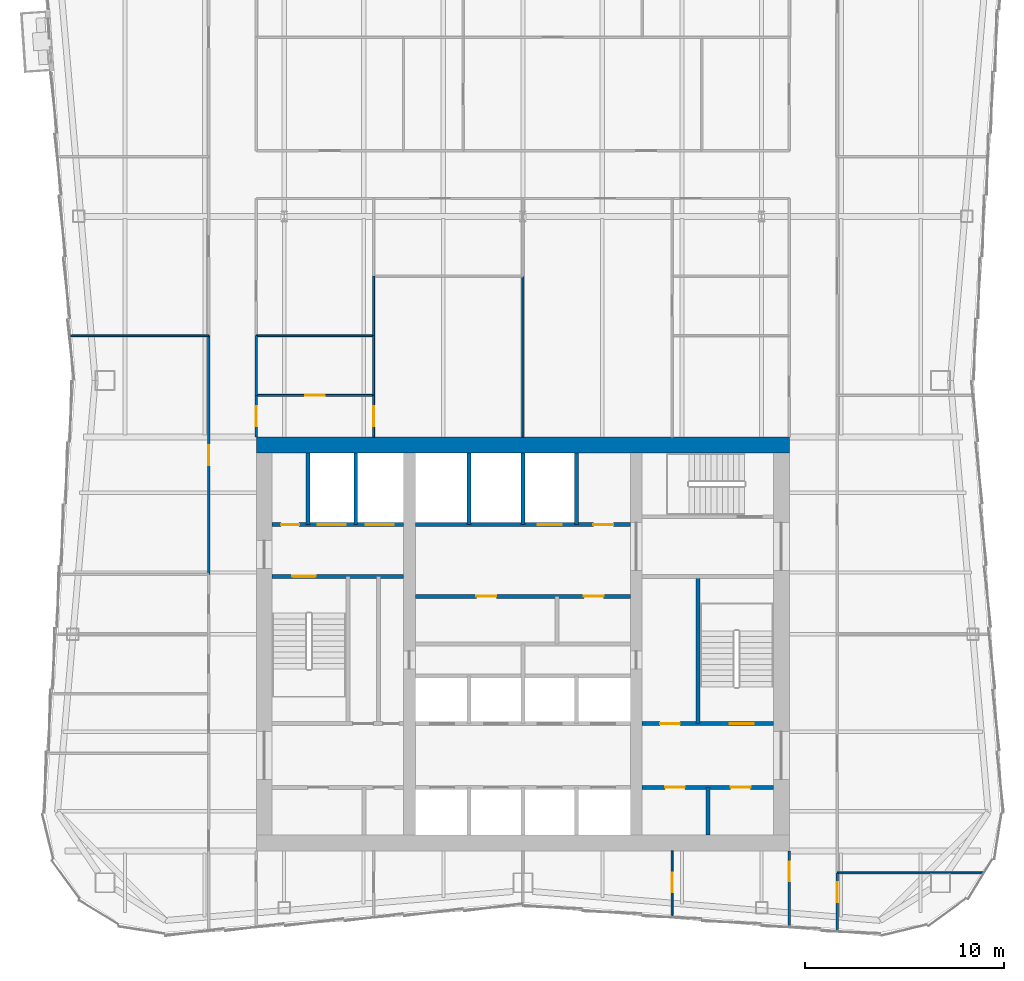
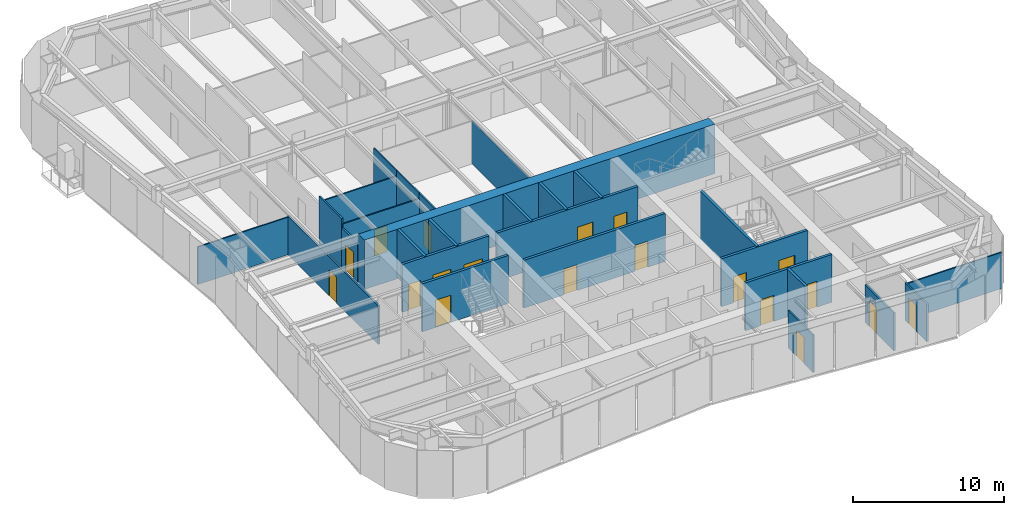
# One storey, part 7 of 11: 28 walls, 19 doors, 19 openings.
"""IFC4 building model written with IfcOpenShell, lengths in metres."""

from ifc_helpers import new_model, si_unit, direction, frame, frame_2d, origin, place, context, subcontext, project, spatial, rectangle, extrude, material, layer, layer_set, type_object, element, fill, save


model = new_model("IFC4")

# Units and contexts
model_context = context("Model", 3, precision=1e-05, world=origin(), true_north=direction((0.0, 1.0)))
body_context = subcontext(model_context, "Body", "Model", "MODEL_VIEW")
ifc_project = project(units=[si_unit("LENGTHUNIT", "METRE"), si_unit("AREAUNIT", "SQUARE_METRE"), si_unit("VOLUMEUNIT", "CUBIC_METRE"), si_unit("PLANEANGLEUNIT", "RADIAN"), si_unit("MASSUNIT", "GRAM", prefix="KILO")], contexts=[model_context])

# Site, building, storey
site_placement = place(None, origin())
site = spatial("IfcSite", under=ifc_project, at=site_placement, CompositionType="ELEMENT")
building_placement = place(site_placement, origin())
building = spatial("IfcBuilding", under=site, at=building_placement, Name="Verdant Reach Tower", CompositionType="ELEMENT")
storey_placement = place(building_placement, frame((0.0, 0.0, 258.0)))
storey = spatial("IfcBuildingStorey", under=building, at=storey_placement, Name="L59", CompositionType="ELEMENT", Elevation=258.0)

# Wall, openings, doors
ifc_material_1 = material(Name="Gypsum board on steel studs", Category="steel")
ifc_layer_1 = layer(ifc_material_1, 0.199951171875)
ifc_layer_set_1 = layer_set([ifc_layer_1], Name="CO-WALL-ROOM")
wall_type_1 = type_object("IfcWallType", Name="CO-WALL-ROOM", PredefinedType="PARTITIONING", material=ifc_layer_set_1)
wall_1_placement = place(storey_placement, frame((6.0, 20.800048828125, 0.0), z_axis=(0.0, 0.0, 1.0), x_axis=(1.0, 0.0, 0.0)))
wall_1 = element("IfcWall", 1, at=wall_1_placement, inside=storey, type_object=wall_type_1, Name="Core partition, L59", PredefinedType="PARTITIONING", context=body_context, shape_type="SweptSolid", body=[
    extrude(rectangle(XDim=6.60009765625, YDim=0.199951171875, at=frame_2d((3.300048828125, 0.0))), origin(), (0.0, 0.0, 1.0), 3.8701171875),
])
opening_1_placement = place(wall_1_placement, frame((1.14990234375, 0.0, 0.0)))
opening_1 = element("IfcOpeningElement", 2, at=opening_1_placement, cuts=wall_1, Name="Opening CD", PredefinedType="OPENING", context=body_context, shape_type="SweptSolid", body=[
    extrude(rectangle(XDim=1.0, YDim=2.10009765625, at=frame_2d((0.5, 1.050048828125))), frame((0.0, 0.10986328125, 0.0), z_axis=(0.0, -1.0, 0.0), x_axis=(1.0, 0.0, 0.0)), (0.0, 0.0, 1.0), 0.219970703125),
])
opening_2_placement = place(wall_1_placement, frame((4.449951171875, 0.0, 0.0)))
opening_2 = element("IfcOpeningElement", 3, at=opening_2_placement, cuts=wall_1, Name="Opening CD", PredefinedType="OPENING", context=body_context, shape_type="SweptSolid", body=[
    extrude(rectangle(XDim=1.0, YDim=2.10009765625, at=frame_2d((0.5, 1.050048828125))), frame((0.0, 0.10986328125, 0.0), z_axis=(0.0, -1.0, 0.0), x_axis=(1.0, 0.0, 0.0)), (0.0, 0.0, 1.0), 0.219970703125),
])
ifc_material_2 = material(Name="Timber", Category="wood")
door_type_1 = type_object("IfcDoorType", Name="CO-DOOR-ROOM", OperationType="NOTDEFINED", PredefinedType="DOOR", material=ifc_material_2)
door_1_placement = place(opening_1_placement, origin())
door_1 = element("IfcDoor", 4, at=door_1_placement, inside=storey, type_object=door_type_1, Name="Core room door, L59", OperationType="SINGLE_SWING_LEFT", OverallHeight=2.10009765625, OverallWidth=1.0, PredefinedType="DOOR", context=body_context, shape_type="SweptSolid", body=[
    extrude(rectangle(XDim=1.0, YDim=2.10009765625, at=frame_2d((0.5, 1.050048828125))), frame((0.0, 0.02490234375, 0.0), z_axis=(0.0, -1.0, 0.0), x_axis=(1.0, 0.0, 0.0)), (0.0, 0.0, 1.0), 0.050048828125),
])
fill(opening_1, door_1)
door_2_placement = place(opening_2_placement, origin())
door_2 = element("IfcDoor", 5, at=door_2_placement, inside=storey, type_object=door_type_1, Name="Core room door, L59", OperationType="SINGLE_SWING_LEFT", OverallHeight=2.10009765625, OverallWidth=1.0, PredefinedType="DOOR", context=body_context, shape_type="SweptSolid", body=[
    extrude(rectangle(XDim=1.0, YDim=2.10009765625, at=frame_2d((0.5, 1.050048828125))), frame((0.0, 0.02490234375, 0.0), z_axis=(0.0, -1.0, 0.0), x_axis=(1.0, 0.0, 0.0)), (0.0, 0.0, 1.0), 0.050048828125),
])
fill(opening_2, door_2)

wall_2_placement = place(storey_placement, frame((-5.39990234375, 30.39990234375, 0.0), z_axis=(0.0, 0.0, 1.0), x_axis=(1.0, 0.0, 0.0)))
wall_2 = element("IfcWall", 6, at=wall_2_placement, inside=storey, type_object=wall_type_1, Name="Core partition, L59", PredefinedType="PARTITIONING", context=body_context, shape_type="SweptSolid", body=[
    extrude(rectangle(XDim=10.7998046875, YDim=0.199951171875, at=frame_2d((5.39990234375, 0.0))), origin(), (0.0, 0.0, 1.0), 3.8701171875),
])
opening_3_placement = place(wall_2_placement, frame((3.06396484375, 0.0, 0.0)))
opening_3 = element("IfcOpeningElement", 7, at=opening_3_placement, cuts=wall_2, Name="Opening CD", PredefinedType="OPENING", context=body_context, shape_type="SweptSolid", body=[
    extrude(rectangle(XDim=1.0, YDim=2.10009765625, at=frame_2d((0.5, 1.050048828125))), frame((0.0, 0.10986328125, 0.0), z_axis=(0.0, -1.0, 0.0), x_axis=(1.0, 0.0, 0.0)), (0.0, 0.0, 1.0), 0.219970703125),
])
opening_4_placement = place(wall_2_placement, frame((8.464111328125, 0.0, 0.0)))
opening_4 = element("IfcOpeningElement", 8, at=opening_4_placement, cuts=wall_2, Name="Opening CD", PredefinedType="OPENING", context=body_context, shape_type="SweptSolid", body=[
    extrude(rectangle(XDim=1.0, YDim=2.10009765625, at=frame_2d((0.5, 1.050048828125))), frame((0.0, 0.10986328125, 0.0), z_axis=(0.0, -1.0, 0.0), x_axis=(1.0, 0.0, 0.0)), (0.0, 0.0, 1.0), 0.219970703125),
])
door_3_placement = place(opening_3_placement, origin())
door_3 = element("IfcDoor", 9, at=door_3_placement, inside=storey, type_object=door_type_1, Name="Core room door, L59", OperationType="SINGLE_SWING_RIGHT", OverallHeight=2.10009765625, OverallWidth=1.0, PredefinedType="DOOR", context=body_context, shape_type="SweptSolid", body=[
    extrude(rectangle(XDim=1.0, YDim=2.10009765625, at=frame_2d((0.5, 1.050048828125))), frame((0.0, 0.02490234375, 0.0), z_axis=(0.0, -1.0, 0.0), x_axis=(1.0, 0.0, 0.0)), (0.0, 0.0, 1.0), 0.050048828125),
])
fill(opening_3, door_3)
door_4_placement = place(opening_4_placement, origin())
door_4 = element("IfcDoor", 10, at=door_4_placement, inside=storey, type_object=door_type_1, Name="Core room door, L59", OperationType="SINGLE_SWING_LEFT", OverallHeight=2.10009765625, OverallWidth=1.0, PredefinedType="DOOR", context=body_context, shape_type="SweptSolid", body=[
    extrude(rectangle(XDim=1.0, YDim=2.10009765625, at=frame_2d((0.5, 1.050048828125))), frame((0.0, 0.02490234375, 0.0), z_axis=(0.0, -1.0, 0.0), x_axis=(1.0, 0.0, 0.0)), (0.0, 0.0, 1.0), 0.050048828125),
])
fill(opening_4, door_4)

# Wall
wall_3_placement = place(storey_placement, frame((9.300048828125, 18.39990234375, 0.0), z_axis=(0.0, 0.0, 1.0), x_axis=(0.0, 1.0, 0.0)))
element("IfcWall", 11, at=wall_3_placement, inside=storey, type_object=wall_type_1, Name="Core partition, L59", PredefinedType="PARTITIONING", context=body_context, shape_type="SweptSolid", body=[
    extrude(rectangle(XDim=2.400146484375, YDim=0.199951171875, at=frame_2d((1.2001953125, 0.0))), origin(), (0.0, 0.0, 1.0), 3.8701171875),
])

# Wall, openings, doors
ifc_material_3 = material(Name="Concrete C40/50", Category="concrete")
ifc_layer_2 = layer(ifc_material_3, 0.199951171875)
ifc_layer_set_2 = layer_set([ifc_layer_2], Name="CO-WALL-SHAFT")
wall_type_2 = type_object("IfcWallType", Name="CO-WALL-SHAFT", PredefinedType="PARTITIONING", material=ifc_layer_set_2)
wall_4_placement = place(storey_placement, frame((-12.60009765625, 34.0, 0.0), z_axis=(0.0, 0.0, 1.0), x_axis=(1.0, 0.0, 0.0)))
wall_4 = element("IfcWall", 12, at=wall_4_placement, inside=storey, type_object=wall_type_2, Name="Lift shaft wall, L59", PredefinedType="PARTITIONING", context=body_context, shape_type="SweptSolid", body=[
    extrude(rectangle(XDim=6.60009765625, YDim=0.199951171875, at=frame_2d((3.300048828125, 0.0))), origin(), (0.0, 0.0, 1.0), 3.8701171875),
])
opening_5_placement = place(wall_4_placement, frame((4.699951171875, 0.0, 0.0)))
opening_5 = element("IfcOpeningElement", 13, at=opening_5_placement, cuts=wall_4, Name="Opening LD-F1", PredefinedType="OPENING", context=body_context, shape_type="SweptSolid", body=[
    extrude(rectangle(XDim=1.39990234375, YDim=2.199951171875, at=frame_2d((0.699951171875, 1.10009765625))), frame((0.0, 0.10986328125, 0.0), z_axis=(0.0, -1.0, 0.0), x_axis=(1.0, 0.0, 0.0)), (0.0, 0.0, 1.0), 0.219970703125),
])
opening_6_placement = place(wall_4_placement, frame((2.300048828125, 0.0, 0.0)))
opening_6 = element("IfcOpeningElement", 14, at=opening_6_placement, cuts=wall_4, Name="Opening LD-F2", PredefinedType="OPENING", context=body_context, shape_type="SweptSolid", body=[
    extrude(rectangle(XDim=1.39990234375, YDim=2.199951171875, at=frame_2d((0.699951171875, 1.10009765625))), frame((0.0, 0.10986328125, 0.0), z_axis=(0.0, -1.0, 0.0), x_axis=(1.0, 0.0, 0.0)), (0.0, 0.0, 1.0), 0.219970703125),
])
opening_7_placement = place(wall_4_placement, frame((0.449951171875, 0.0, 0.0)))
opening_7 = element("IfcOpeningElement", 15, at=opening_7_placement, cuts=wall_4, Name="Opening RD", PredefinedType="OPENING", context=body_context, shape_type="SweptSolid", body=[
    extrude(rectangle(XDim=0.89990234375, YDim=2.10009765625, at=frame_2d((0.449951171875, 1.050048828125))), frame((0.0, 0.10986328125, 0.0), z_axis=(0.0, -1.0, 0.0), x_axis=(1.0, 0.0, 0.0)), (0.0, 0.0, 1.0), 0.219970703125),
])
ifc_material_4 = material(Name="Stainless steel", Category="steel")
door_type_2 = type_object("IfcDoorType", Name="CO-DOOR-LANDING-FF", OperationType="SLIDING_TO_LEFT", PredefinedType="DOOR", material=ifc_material_4)
door_5_placement = place(opening_5_placement, origin())
door_5 = element("IfcDoor", 16, at=door_5_placement, inside=storey, type_object=door_type_2, Name="Landing door F1, L59", OperationType="SLIDING_TO_LEFT", OverallHeight=2.199951171875, OverallWidth=1.39990234375, PredefinedType="DOOR", context=body_context, shape_type="SweptSolid", body=[
    extrude(rectangle(XDim=1.39990234375, YDim=2.199951171875, at=frame_2d((0.699951171875, 1.10009765625))), frame((0.0, 0.02490234375, 0.0), z_axis=(0.0, -1.0, 0.0), x_axis=(1.0, 0.0, 0.0)), (0.0, 0.0, 1.0), 0.050048828125),
])
fill(opening_5, door_5)
door_6_placement = place(opening_6_placement, origin())
door_6 = element("IfcDoor", 17, at=door_6_placement, inside=storey, type_object=door_type_2, Name="Landing door F2, L59", OperationType="SLIDING_TO_LEFT", OverallHeight=2.199951171875, OverallWidth=1.39990234375, PredefinedType="DOOR", context=body_context, shape_type="SweptSolid", body=[
    extrude(rectangle(XDim=1.39990234375, YDim=2.199951171875, at=frame_2d((0.699951171875, 1.10009765625))), frame((0.0, 0.02490234375, 0.0), z_axis=(0.0, -1.0, 0.0), x_axis=(1.0, 0.0, 0.0)), (0.0, 0.0, 1.0), 0.050048828125),
])
fill(opening_6, door_6)
ifc_material_5 = material(Name="Steel", Category="steel")
door_type_3 = type_object("IfcDoorType", Name="CO-DOOR-RISER", OperationType="NOTDEFINED", PredefinedType="DOOR", material=ifc_material_5)
door_7_placement = place(opening_7_placement, origin())
door_7 = element("IfcDoor", 18, at=door_7_placement, inside=storey, type_object=door_type_3, Name="Core room door, L59", OperationType="SINGLE_SWING_RIGHT", OverallHeight=2.10009765625, OverallWidth=0.89990234375, PredefinedType="DOOR", context=body_context, shape_type="SweptSolid", body=[
    extrude(rectangle(XDim=0.89990234375, YDim=2.10009765625, at=frame_2d((0.449951171875, 1.050048828125))), frame((0.0, 0.02490234375, 0.0), z_axis=(0.0, -1.0, 0.0), x_axis=(1.0, 0.0, 0.0)), (0.0, 0.0, 1.0), 0.050048828125),
])
fill(opening_7, door_7)

wall_5_placement = place(storey_placement, frame((-5.39990234375, 34.0, 0.0), z_axis=(0.0, 0.0, 1.0), x_axis=(1.0, 0.0, 0.0)))
wall_5 = element("IfcWall", 19, at=wall_5_placement, inside=storey, type_object=wall_type_2, Name="Lift shaft wall, L59", PredefinedType="PARTITIONING", context=body_context, shape_type="SweptSolid", body=[
    extrude(rectangle(XDim=10.7998046875, YDim=0.199951171875, at=frame_2d((5.39990234375, 0.0))), origin(), (0.0, 0.0, 1.0), 3.8701171875),
])
opening_8_placement = place(wall_5_placement, frame((6.14990234375, 0.0, 0.0)))
opening_8 = element("IfcOpeningElement", 20, at=opening_8_placement, cuts=wall_5, Name="Opening LD-SL1", PredefinedType="OPENING", context=body_context, shape_type="SweptSolid", body=[
    extrude(rectangle(XDim=1.199951171875, YDim=2.199951171875, at=frame_2d((0.60009765625, 1.10009765625))), frame((0.0, 0.10986328125, 0.0), z_axis=(0.0, -1.0, 0.0), x_axis=(1.0, 0.0, 0.0)), (0.0, 0.0, 1.0), 0.219970703125),
])
opening_9_placement = place(wall_5_placement, frame((8.949951171875, 0.0, 0.0)))
opening_9 = element("IfcOpeningElement", 21, at=opening_9_placement, cuts=wall_5, Name="Opening CD", PredefinedType="OPENING", context=body_context, shape_type="SweptSolid", body=[
    extrude(rectangle(XDim=1.0, YDim=2.10009765625, at=frame_2d((0.5, 1.050048828125))), frame((0.0, 0.10986328125, 0.0), z_axis=(0.0, -1.0, 0.0), x_axis=(1.0, 0.0, 0.0)), (0.0, 0.0, 1.0), 0.219970703125),
])
door_type_4 = type_object("IfcDoorType", Name="CO-DOOR-LANDING", OperationType="SLIDING_TO_LEFT", PredefinedType="DOOR", material=ifc_material_4)
door_8_placement = place(opening_8_placement, origin())
door_8 = element("IfcDoor", 22, at=door_8_placement, inside=storey, type_object=door_type_4, Name="Landing door SL1, L59", OperationType="SLIDING_TO_LEFT", OverallHeight=2.199951171875, OverallWidth=1.199951171875, PredefinedType="DOOR", context=body_context, shape_type="SweptSolid", body=[
    extrude(rectangle(XDim=1.199951171875, YDim=2.199951171875, at=frame_2d((0.60009765625, 1.10009765625))), frame((0.0, 0.02490234375, 0.0), z_axis=(0.0, -1.0, 0.0), x_axis=(1.0, 0.0, 0.0)), (0.0, 0.0, 1.0), 0.050048828125),
])
fill(opening_8, door_8)
door_9_placement = place(opening_9_placement, origin())
door_9 = element("IfcDoor", 23, at=door_9_placement, inside=storey, type_object=door_type_1, Name="Core room door, L59", OperationType="SINGLE_SWING_LEFT", OverallHeight=2.10009765625, OverallWidth=1.0, PredefinedType="DOOR", context=body_context, shape_type="SweptSolid", body=[
    extrude(rectangle(XDim=1.0, YDim=2.10009765625, at=frame_2d((0.5, 1.050048828125))), frame((0.0, 0.02490234375, 0.0), z_axis=(0.0, -1.0, 0.0), x_axis=(1.0, 0.0, 0.0)), (0.0, 0.0, 1.0), 0.050048828125),
])
fill(opening_9, door_9)

# Walls
for number, where, z_axis, x_axis, name in (
    (24, (-10.800048828125, 34.0, 0.0), (0.0, 0.0, 1.0), (0.0, 1.0, 0.0), "Lift shaft wall, L59"),
    (25, (-8.39990234375, 34.0, 0.0), (0.0, 0.0, 1.0), (0.0, 1.0, 0.0), "Lift shaft wall, L59"),
    (26, (-2.699951171875, 34.0, 0.0), (0.0, 0.0, 1.0), (0.0, 1.0, 0.0), "Lift shaft wall, L59"),
    (27, (0.0, 34.0, 0.0), (0.0, 0.0, 1.0), (0.0, 1.0, 0.0), "Lift shaft wall, L59"),
    (28, (2.699951171875, 34.0, 0.0), (0.0, 0.0, 1.0), (0.0, 1.0, 0.0), "Lift shaft wall, L59"),
):
    element("IfcWall", number, at=place(storey_placement, frame(where, z_axis=z_axis, x_axis=x_axis)), inside=storey, type_object=wall_type_2, Name=name, PredefinedType="PARTITIONING", context=body_context, shape_type="SweptSolid", body=[
        extrude(rectangle(XDim=3.60009765625, YDim=0.199951171875, at=frame_2d((1.800048828125, 0.0))), origin(), (0.0, 0.0, 1.0), 3.8701171875),
    ])

# Wall, openings, doors
ifc_layer_3 = layer(ifc_material_3, 0.199951171875)
ifc_layer_set_3 = layer_set([ifc_layer_3], Name="CO-WALL-STAIR")
wall_type_3 = type_object("IfcWallType", Name="CO-WALL-STAIR", PredefinedType="PARTITIONING", material=ifc_layer_set_3)
wall_6_placement = place(storey_placement, frame((6.0, 24.0, 0.0), z_axis=(0.0, 0.0, 1.0), x_axis=(1.0, 0.0, 0.0)))
wall_6 = element("IfcWall", 29, at=wall_6_placement, inside=storey, type_object=wall_type_3, Name="Stair enclosure wall, L59", PredefinedType="PARTITIONING", context=body_context, shape_type="SweptSolid", body=[
    extrude(rectangle(XDim=6.60009765625, YDim=0.199951171875, at=frame_2d((3.300048828125, 0.0))), origin(), (0.0, 0.0, 1.0), 3.8701171875),
])
opening_10_placement = place(wall_6_placement, frame((0.89990234375, 0.0, 0.0)))
opening_10 = element("IfcOpeningElement", 30, at=opening_10_placement, cuts=wall_6, Name="Opening CD", PredefinedType="OPENING", context=body_context, shape_type="SweptSolid", body=[
    extrude(rectangle(XDim=1.0, YDim=2.10009765625, at=frame_2d((0.5, 1.050048828125))), frame((0.0, 0.10986328125, 0.0), z_axis=(0.0, -1.0, 0.0), x_axis=(1.0, 0.0, 0.0)), (0.0, 0.0, 1.0), 0.219970703125),
])
opening_11_placement = place(wall_6_placement, frame((4.39990234375, 0.0, 0.0)))
opening_11 = element("IfcOpeningElement", 31, at=opening_11_placement, cuts=wall_6, Name="Opening SD", PredefinedType="OPENING", context=body_context, shape_type="SweptSolid", body=[
    extrude(rectangle(XDim=1.199951171875, YDim=2.199951171875, at=frame_2d((0.60009765625, 1.10009765625))), frame((0.0, 0.10986328125, 0.0), z_axis=(0.0, -1.0, 0.0), x_axis=(1.0, 0.0, 0.0)), (0.0, 0.0, 1.0), 0.219970703125),
])
door_10_placement = place(opening_10_placement, origin())
door_10 = element("IfcDoor", 32, at=door_10_placement, inside=storey, type_object=door_type_1, Name="Core room door, L59", OperationType="SINGLE_SWING_RIGHT", OverallHeight=2.10009765625, OverallWidth=1.0, PredefinedType="DOOR", context=body_context, shape_type="SweptSolid", body=[
    extrude(rectangle(XDim=1.0, YDim=2.10009765625, at=frame_2d((0.5, 1.050048828125))), frame((0.0, 0.02490234375, 0.0), z_axis=(0.0, -1.0, 0.0), x_axis=(1.0, 0.0, 0.0)), (0.0, 0.0, 1.0), 0.050048828125),
])
fill(opening_10, door_10)
door_type_5 = type_object("IfcDoorType", Name="CO-DOOR-STAIR", OperationType="NOTDEFINED", PredefinedType="DOOR", material=ifc_material_5)
door_11_placement = place(opening_11_placement, origin())
door_11 = element("IfcDoor", 33, at=door_11_placement, inside=storey, type_object=door_type_5, Name="Stair door, L59", OperationType="SINGLE_SWING_LEFT", OverallHeight=2.199951171875, OverallWidth=1.199951171875, PredefinedType="DOOR", context=body_context, shape_type="SweptSolid", body=[
    extrude(rectangle(XDim=1.199951171875, YDim=2.199951171875, at=frame_2d((0.60009765625, 1.10009765625))), frame((0.0, 0.02490234375, 0.0), z_axis=(0.0, -1.0, 0.0), x_axis=(1.0, 0.0, 0.0)), (0.0, 0.0, 1.0), 0.050048828125),
])
fill(opening_11, door_11)

# Wall, opening, door
wall_7_placement = place(storey_placement, frame((-12.60009765625, 31.39990234375, 0.0), z_axis=(0.0, 0.0, 1.0), x_axis=(1.0, 0.0, 0.0)))
wall_7 = element("IfcWall", 34, at=wall_7_placement, inside=storey, type_object=wall_type_3, Name="Stair enclosure wall, L59", PredefinedType="PARTITIONING", context=body_context, shape_type="SweptSolid", body=[
    extrude(rectangle(XDim=6.60009765625, YDim=0.199951171875, at=frame_2d((3.300048828125, 0.0))), origin(), (0.0, 0.0, 1.0), 3.8701171875),
])
opening_12_placement = place(wall_7_placement, frame((1.0, 0.0, 0.0)))
opening_12 = element("IfcOpeningElement", 35, at=opening_12_placement, cuts=wall_7, Name="Opening SD", PredefinedType="OPENING", context=body_context, shape_type="SweptSolid", body=[
    extrude(rectangle(XDim=1.199951171875, YDim=2.199951171875, at=frame_2d((0.60009765625, 1.10009765625))), frame((0.0, 0.10986328125, 0.0), z_axis=(0.0, -1.0, 0.0), x_axis=(1.0, 0.0, 0.0)), (0.0, 0.0, 1.0), 0.219970703125),
])
door_12_placement = place(opening_12_placement, origin())
door_12 = element("IfcDoor", 36, at=door_12_placement, inside=storey, type_object=door_type_5, Name="Stair door, L59", OperationType="SINGLE_SWING_RIGHT", OverallHeight=2.199951171875, OverallWidth=1.199951171875, PredefinedType="DOOR", context=body_context, shape_type="SweptSolid", body=[
    extrude(rectangle(XDim=1.199951171875, YDim=2.199951171875, at=frame_2d((0.60009765625, 1.10009765625))), frame((0.0, 0.02490234375, 0.0), z_axis=(0.0, -1.0, 0.0), x_axis=(1.0, 0.0, 0.0)), (0.0, 0.0, 1.0), 0.050048828125),
])
fill(opening_12, door_12)

# Walls
wall_8_placement = place(storey_placement, frame((8.800048828125, 24.0, 0.0), z_axis=(0.0, 0.0, 1.0), x_axis=(0.0, 1.0, 0.0)))
element("IfcWall", 37, at=wall_8_placement, inside=storey, type_object=wall_type_3, Name="Stair enclosure wall, L59", PredefinedType="PARTITIONING", context=body_context, shape_type="SweptSolid", body=[
    extrude(rectangle(XDim=7.39990234375, YDim=0.199951171875, at=frame_2d((3.699951171875, 0.0))), origin(), (0.0, 0.0, 1.0), 3.8701171875),
])
ifc_layer_4 = layer(ifc_material_1, 0.10009765625)
ifc_layer_set_4 = layer_set([ifc_layer_4], Name="FL-W1 Partition 100")
wall_type_4 = type_object("IfcWallType", Name="FL-W1 Partition 100", PredefinedType="PARTITIONING", material=ifc_layer_set_4)
wall_9_placement = place(storey_placement, frame((-15.800048828125, 43.5, 0.0), z_axis=(0.0, 0.0, 1.0), x_axis=(-1.0, 0.0, 0.0)))
element("IfcWall", 38, at=wall_9_placement, inside=storey, type_object=wall_type_4, Name="Partition 59.38", PredefinedType="PARTITIONING", context=body_context, shape_type="SweptSolid", body=[
    extrude(rectangle(XDim=6.93505859375, YDim=0.10009765625, at=frame_2d((3.467529296875, 0.0))), origin(), (0.0, 0.0, 1.0), 3.0400390625),
])
wall_10_placement = place(storey_placement, frame((23.15283203125, 16.5, 0.0), z_axis=(0.0, 0.0, 1.0), x_axis=(-1.0, 0.0, 0.0)))
element("IfcWall", 39, at=wall_10_placement, inside=storey, type_object=wall_type_4, Name="Partition 59.41", PredefinedType="PARTITIONING", context=body_context, shape_type="SweptSolid", body=[
    extrude(rectangle(XDim=7.352783203125, YDim=0.10009765625, at=frame_2d((3.67626953125, 0.0))), origin(), (0.0, 0.0, 1.0), 2.929931640625),
])

# Wall, opening, door
wall_11_placement = place(storey_placement, frame((7.5, 14.294921875, 0.0), z_axis=(0.0, 0.0, 1.0), x_axis=(0.0, 1.0, 0.0)))
wall_11 = element("IfcWall", 40, at=wall_11_placement, inside=storey, type_object=wall_type_4, Name="Partition 59.47", PredefinedType="PARTITIONING", context=body_context, shape_type="SweptSolid", body=[
    extrude(rectangle(XDim=3.30517578125, YDim=0.10009765625, at=frame_2d((1.652587890625, 0.0))), origin(), (0.0, 0.0, 1.0), 3.0400390625),
])
opening_13_placement = place(wall_11_placement, frame((1.217529296875, 0.0, 0.0)))
opening_13 = element("IfcOpeningElement", 41, at=opening_13_placement, cuts=wall_11, Name="Opening D3", PredefinedType="OPENING", context=body_context, shape_type="SweptSolid", body=[
    extrude(rectangle(XDim=1.0, YDim=2.10009765625, at=frame_2d((0.5, 1.050048828125))), frame((0.0, 0.06005859375, 0.0), z_axis=(0.0, -1.0, 0.0), x_axis=(1.0, 0.0, 0.0)), (0.0, 0.0, 1.0), 0.1201171875),
])
ifc_material_6 = material(Name="Painted timber door leaf", Category="wood")
door_type_6 = type_object("IfcDoorType", Name="FL-D3 Door 1000x2100", OperationType="NOTDEFINED", PredefinedType="DOOR", material=ifc_material_6)
door_13_placement = place(opening_13_placement, origin())
door_13 = element("IfcDoor", 42, at=door_13_placement, inside=storey, type_object=door_type_6, Name="Door 59-028", OperationType="SINGLE_SWING_RIGHT", OverallHeight=2.10009765625, OverallWidth=1.0, PredefinedType="DOOR", context=body_context, shape_type="SweptSolid", body=[
    extrude(rectangle(XDim=1.0, YDim=2.10009765625, at=frame_2d((0.5, 1.050048828125))), frame((0.0, 0.02490234375, 0.0), z_axis=(0.0, -1.0, 0.0), x_axis=(1.0, 0.0, 0.0)), (0.0, 0.0, 1.0), 0.050048828125),
])
fill(opening_13, door_13)

wall_12_placement = place(storey_placement, frame((-13.39990234375, 40.5, 0.0), z_axis=(0.0, 0.0, 1.0), x_axis=(1.0, 0.0, 0.0)))
wall_12 = element("IfcWall", 43, at=wall_12_placement, inside=storey, type_object=wall_type_4, Name="Partition 59.48", PredefinedType="PARTITIONING", context=body_context, shape_type="SweptSolid", body=[
    extrude(rectangle(XDim=5.89990234375, YDim=0.10009765625, at=frame_2d((2.949951171875, 0.0))), origin(), (0.0, 0.0, 1.0), 3.43994140625),
])
opening_14_placement = place(wall_12_placement, frame((2.449951171875, 0.0, 0.0)))
opening_14 = element("IfcOpeningElement", 44, at=opening_14_placement, cuts=wall_12, Name="Opening D3", PredefinedType="OPENING", context=body_context, shape_type="SweptSolid", body=[
    extrude(rectangle(XDim=1.0, YDim=2.10009765625, at=frame_2d((0.5, 1.050048828125))), frame((0.0, 0.06005859375, 0.0), z_axis=(0.0, -1.0, 0.0), x_axis=(1.0, 0.0, 0.0)), (0.0, 0.0, 1.0), 0.1201171875),
])
door_14_placement = place(opening_14_placement, origin())
door_14 = element("IfcDoor", 45, at=door_14_placement, inside=storey, type_object=door_type_6, Name="Door 59-029", OperationType="SINGLE_SWING_LEFT", OverallHeight=2.10009765625, OverallWidth=1.0, PredefinedType="DOOR", context=body_context, shape_type="SweptSolid", body=[
    extrude(rectangle(XDim=1.0, YDim=2.10009765625, at=frame_2d((0.5, 1.050048828125))), frame((0.0, 0.02490234375, 0.0), z_axis=(0.0, -1.0, 0.0), x_axis=(1.0, 0.0, 0.0)), (0.0, 0.0, 1.0), 0.050048828125),
])
fill(opening_14, door_14)

wall_13_placement = place(storey_placement, frame((-7.5, 40.50390625, 0.0), z_axis=(0.0, 0.0, 1.0), x_axis=(0.0, -1.0, 0.0)))
wall_13 = element("IfcWall", 46, at=wall_13_placement, inside=storey, type_object=wall_type_4, Name="Partition 59.49", PredefinedType="PARTITIONING", context=body_context, shape_type="SweptSolid", body=[
    extrude(rectangle(XDim=2.10400390625, YDim=0.10009765625, at=frame_2d((1.052001953125, 0.0))), origin(), (0.0, 0.0, 1.0), 3.8701171875),
])
opening_15_placement = place(wall_13_placement, frame((0.552001953125, 0.0, 0.0)))
opening_15 = element("IfcOpeningElement", 47, at=opening_15_placement, cuts=wall_13, Name="Opening D3", PredefinedType="OPENING", context=body_context, shape_type="SweptSolid", body=[
    extrude(rectangle(XDim=1.0, YDim=2.10009765625, at=frame_2d((0.5, 1.050048828125))), frame((0.0, 0.06005859375, 0.0), z_axis=(0.0, -1.0, 0.0), x_axis=(1.0, 0.0, 0.0)), (0.0, 0.0, 1.0), 0.1201171875),
])
door_15_placement = place(opening_15_placement, origin())
door_15 = element("IfcDoor", 48, at=door_15_placement, inside=storey, type_object=door_type_6, Name="Door 59-030", OperationType="SINGLE_SWING_RIGHT", OverallHeight=2.10009765625, OverallWidth=1.0, PredefinedType="DOOR", context=body_context, shape_type="SweptSolid", body=[
    extrude(rectangle(XDim=1.0, YDim=2.10009765625, at=frame_2d((0.5, 1.050048828125))), frame((0.0, 0.02490234375, 0.0), z_axis=(0.0, -1.0, 0.0), x_axis=(1.0, 0.0, 0.0)), (0.0, 0.0, 1.0), 0.050048828125),
])
fill(opening_15, door_15)

# Walls
wall_14_placement = place(storey_placement, frame((-7.5, 43.5, 0.0), z_axis=(0.0, 0.0, 1.0), x_axis=(-1.0, 0.0, 0.0)))
element("IfcWall", 49, at=wall_14_placement, inside=storey, type_object=wall_type_4, Name="Partition 59.50", PredefinedType="PARTITIONING", context=body_context, shape_type="SweptSolid", body=[
    extrude(rectangle(XDim=5.89990234375, YDim=0.10009765625, at=frame_2d((2.949951171875, 0.0))), origin(), (0.0, 0.0, 1.0), 3.43994140625),
])
wall_15_placement = place(storey_placement, frame((-7.5, 40.49609375, 0.0), z_axis=(0.0, 0.0, 1.0), x_axis=(0.0, 1.0, 0.0)))
element("IfcWall", 50, at=wall_15_placement, inside=storey, type_object=wall_type_4, Name="Partition 59.51", PredefinedType="PARTITIONING", context=body_context, shape_type="SweptSolid", body=[
    extrude(rectangle(XDim=3.0078125, YDim=0.10009765625, at=frame_2d((1.50390625, 0.0))), origin(), (0.0, 0.0, 1.0), 3.8701171875),
])
wall_16_placement = place(storey_placement, frame((-7.5, 43.49609375, 0.0), z_axis=(0.0, 0.0, 1.0), x_axis=(0.0, 1.0, 0.0)))
element("IfcWall", 51, at=wall_16_placement, inside=storey, type_object=wall_type_4, Name="Partition 59.52", PredefinedType="PARTITIONING", context=body_context, shape_type="SweptSolid", body=[
    extrude(rectangle(XDim=3.00390625, YDim=0.10009765625, at=frame_2d((1.501953125, 0.0))), origin(), (0.0, 0.0, 1.0), 3.8701171875),
])
wall_17_placement = place(storey_placement, frame((0.0, 38.39990234375, 0.0), z_axis=(0.0, 0.0, 1.0), x_axis=(0.0, 1.0, 0.0)))
element("IfcWall", 52, at=wall_17_placement, inside=storey, type_object=wall_type_4, Name="Partition 59.55", PredefinedType="PARTITIONING", context=body_context, shape_type="SweptSolid", body=[
    extrude(rectangle(XDim=8.10400390625, YDim=0.10009765625, at=frame_2d((4.052001953125, 0.0))), origin(), (0.0, 0.0, 1.0), 3.43994140625),
])

# Wall, opening, door
ifc_material_7 = material(Name="Gypsum board on steel studs, fire rated", Category="steel")
ifc_layer_5 = layer(ifc_material_7, 0.125)
ifc_layer_set_5 = layer_set([ifc_layer_5], Name="FL-W2 Corridor wall 125")
wall_type_5 = type_object("IfcWallType", Name="FL-W2 Corridor wall 125", PredefinedType="PARTITIONING", material=ifc_layer_set_5)
wall_18_placement = place(storey_placement, frame((-15.800048828125, 31.5, 0.0), z_axis=(0.0, 0.0, 1.0), x_axis=(0.0, 1.0, 0.0)))
wall_18 = element("IfcWall", 53, at=wall_18_placement, inside=storey, type_object=wall_type_5, Name="Partition 59.05", PredefinedType="PARTITIONING", context=body_context, shape_type="SweptSolid", body=[
    extrude(rectangle(XDim=12.0, YDim=0.125, at=frame_2d((6.0, 0.0))), origin(), (0.0, 0.0, 1.0), 3.139892578125),
])
opening_16_placement = place(wall_18_placement, frame((5.5, 0.0, 0.0)))
opening_16 = element("IfcOpeningElement", 54, at=opening_16_placement, cuts=wall_18, Name="Opening D2", PredefinedType="OPENING", context=body_context, shape_type="SweptSolid", body=[
    extrude(rectangle(XDim=1.0, YDim=2.10009765625, at=frame_2d((0.5, 1.050048828125))), frame((0.0, 0.072509765625, 0.0), z_axis=(0.0, -1.0, 0.0), x_axis=(1.0, 0.0, 0.0)), (0.0, 0.0, 1.0), 0.14501953125),
])
ifc_material_8 = material(Name="Timber door leaf, fire rated", Category="wood")
door_type_7 = type_object("IfcDoorType", Name="FL-D2 Entrance door 1000x2100 FD30", OperationType="NOTDEFINED", PredefinedType="DOOR", material=ifc_material_8)
door_16_placement = place(opening_16_placement, origin())
door_16 = element("IfcDoor", 55, at=door_16_placement, inside=storey, type_object=door_type_7, Name="Door 59-005", OperationType="SINGLE_SWING_LEFT", OverallHeight=2.10009765625, OverallWidth=1.0, PredefinedType="DOOR", context=body_context, shape_type="SweptSolid", body=[
    extrude(rectangle(XDim=1.0, YDim=2.10009765625, at=frame_2d((0.5, 1.050048828125))), frame((0.0, 0.02490234375, 0.0), z_axis=(0.0, -1.0, 0.0), x_axis=(1.0, 0.0, 0.0)), (0.0, 0.0, 1.0), 0.050048828125),
])
fill(opening_16, door_16)

wall_19_placement = place(storey_placement, frame((15.800048828125, 16.5, 0.0), z_axis=(0.0, 0.0, 1.0), x_axis=(0.0, -1.0, 0.0)))
wall_19 = element("IfcWall", 56, at=wall_19_placement, inside=storey, type_object=wall_type_5, Name="Partition 59.09", PredefinedType="PARTITIONING", context=body_context, shape_type="SweptSolid", body=[
    extrude(rectangle(XDim=2.896728515625, YDim=0.125, at=frame_2d((1.4482421875, 0.0))), origin(), (0.0, 0.0, 1.0), 3.0400390625),
])
opening_17_placement = place(wall_19_placement, frame((0.483154296875, 0.0, 0.0)))
opening_17 = element("IfcOpeningElement", 57, at=opening_17_placement, cuts=wall_19, Name="Opening D2", PredefinedType="OPENING", context=body_context, shape_type="SweptSolid", body=[
    extrude(rectangle(XDim=1.0, YDim=2.10009765625, at=frame_2d((0.5, 1.050048828125))), frame((0.0, 0.072509765625, 0.0), z_axis=(0.0, -1.0, 0.0), x_axis=(1.0, 0.0, 0.0)), (0.0, 0.0, 1.0), 0.14501953125),
])
door_17_placement = place(opening_17_placement, origin())
door_17 = element("IfcDoor", 58, at=door_17_placement, inside=storey, type_object=door_type_7, Name="Door 59-009", OperationType="SINGLE_SWING_LEFT", OverallHeight=2.10009765625, OverallWidth=1.0, PredefinedType="DOOR", context=body_context, shape_type="SweptSolid", body=[
    extrude(rectangle(XDim=1.0, YDim=2.10009765625, at=frame_2d((0.5, 1.050048828125))), frame((0.0, 0.02490234375, 0.0), z_axis=(0.0, -1.0, 0.0), x_axis=(1.0, 0.0, 0.0)), (0.0, 0.0, 1.0), 0.050048828125),
])
fill(opening_17, door_17)

wall_20_placement = place(storey_placement, frame((13.39990234375, 13.80322265625, 0.0), z_axis=(0.0, 0.0, 1.0), x_axis=(0.0, 1.0, 0.0)))
wall_20 = element("IfcWall", 59, at=wall_20_placement, inside=storey, type_object=wall_type_5, Name="Partition 59.15", PredefinedType="PARTITIONING", context=body_context, shape_type="SweptSolid", body=[
    extrude(rectangle(XDim=3.796875, YDim=0.125, at=frame_2d((1.8984375, 0.0))), origin(), (0.0, 0.0, 1.0), 3.0400390625),
])
opening_18_placement = place(wall_20_placement, frame((2.263427734375, 0.0, 0.0)))
opening_18 = element("IfcOpeningElement", 60, at=opening_18_placement, cuts=wall_20, Name="Opening D2", PredefinedType="OPENING", context=body_context, shape_type="SweptSolid", body=[
    extrude(rectangle(XDim=1.0, YDim=2.10009765625, at=frame_2d((0.5, 1.050048828125))), frame((0.0, 0.072509765625, 0.0), z_axis=(0.0, -1.0, 0.0), x_axis=(1.0, 0.0, 0.0)), (0.0, 0.0, 1.0), 0.14501953125),
])
door_18_placement = place(opening_18_placement, origin())
door_18 = element("IfcDoor", 61, at=door_18_placement, inside=storey, type_object=door_type_7, Name="Door 59-015", OperationType="SINGLE_SWING_RIGHT", OverallHeight=2.10009765625, OverallWidth=1.0, PredefinedType="DOOR", context=body_context, shape_type="SweptSolid", body=[
    extrude(rectangle(XDim=1.0, YDim=2.10009765625, at=frame_2d((0.5, 1.050048828125))), frame((0.0, 0.02490234375, 0.0), z_axis=(0.0, -1.0, 0.0), x_axis=(1.0, 0.0, 0.0)), (0.0, 0.0, 1.0), 0.050048828125),
])
fill(opening_18, door_18)

wall_21_placement = place(storey_placement, frame((-13.39990234375, 40.5, 0.0), z_axis=(0.0, 0.0, 1.0), x_axis=(0.0, -1.0, 0.0)))
wall_21 = element("IfcWall", 62, at=wall_21_placement, inside=storey, type_object=wall_type_5, Name="Partition 59.16", PredefinedType="PARTITIONING", context=body_context, shape_type="SweptSolid", body=[
    extrude(rectangle(XDim=2.10009765625, YDim=0.125, at=frame_2d((1.050048828125, 0.0))), origin(), (0.0, 0.0, 1.0), 3.139892578125),
])
opening_19_placement = place(wall_21_placement, frame((0.550048828125, 0.0, 0.0)))
opening_19 = element("IfcOpeningElement", 63, at=opening_19_placement, cuts=wall_21, Name="Opening D2", PredefinedType="OPENING", context=body_context, shape_type="SweptSolid", body=[
    extrude(rectangle(XDim=1.0, YDim=2.10009765625, at=frame_2d((0.5, 1.050048828125))), frame((0.0, 0.072509765625, 0.0), z_axis=(0.0, -1.0, 0.0), x_axis=(1.0, 0.0, 0.0)), (0.0, 0.0, 1.0), 0.14501953125),
])
door_19_placement = place(opening_19_placement, origin())
door_19 = element("IfcDoor", 64, at=door_19_placement, inside=storey, type_object=door_type_7, Name="Door 59-016", OperationType="SINGLE_SWING_RIGHT", OverallHeight=2.10009765625, OverallWidth=1.0, PredefinedType="DOOR", context=body_context, shape_type="SweptSolid", body=[
    extrude(rectangle(XDim=1.0, YDim=2.10009765625, at=frame_2d((0.5, 1.050048828125))), frame((0.0, 0.02490234375, 0.0), z_axis=(0.0, -1.0, 0.0), x_axis=(1.0, 0.0, 0.0)), (0.0, 0.0, 1.0), 0.050048828125),
])
fill(opening_19, door_19)

# Walls
wall_22_placement = place(storey_placement, frame((-13.39990234375, 40.5, 0.0), z_axis=(0.0, 0.0, 1.0), x_axis=(0.0, 1.0, 0.0)))
element("IfcWall", 65, at=wall_22_placement, inside=storey, type_object=wall_type_5, Name="Partition 59.17", PredefinedType="PARTITIONING", context=body_context, shape_type="SweptSolid", body=[
    extrude(rectangle(XDim=3.0, YDim=0.125, at=frame_2d((1.5, 0.0))), origin(), (0.0, 0.0, 1.0), 3.8701171875),
])
ifc_material_9 = material(Name="Concrete C70/85", Category="concrete")
ifc_layer_6 = layer(ifc_material_9, 0.800048828125)
ifc_layer_set_6 = layer_set([ifc_layer_6], Name="ST-CORE-WALL-800")
wall_type_6 = type_object("IfcWallType", Name="ST-CORE-WALL-800", PredefinedType="SHEAR", material=ifc_layer_set_6)
wall_23_placement = place(storey_placement, frame((-13.39990234375, 38.0, -0.1298828125), z_axis=(0.0, 0.0, 1.0), x_axis=(1.0, 0.0, 0.0)))
element("IfcWall", 66, at=wall_23_placement, inside=storey, type_object=wall_type_6, Name="Core wall N, L59", PredefinedType="SHEAR", context=body_context, shape_type="SweptSolid", body=[
    extrude(rectangle(XDim=26.7998046875, YDim=0.800048828125, at=frame_2d((13.39990234375, 0.0))), origin(), (0.0, 0.0, 1.0), 4.0),
])

save(model, "model.ifc")
